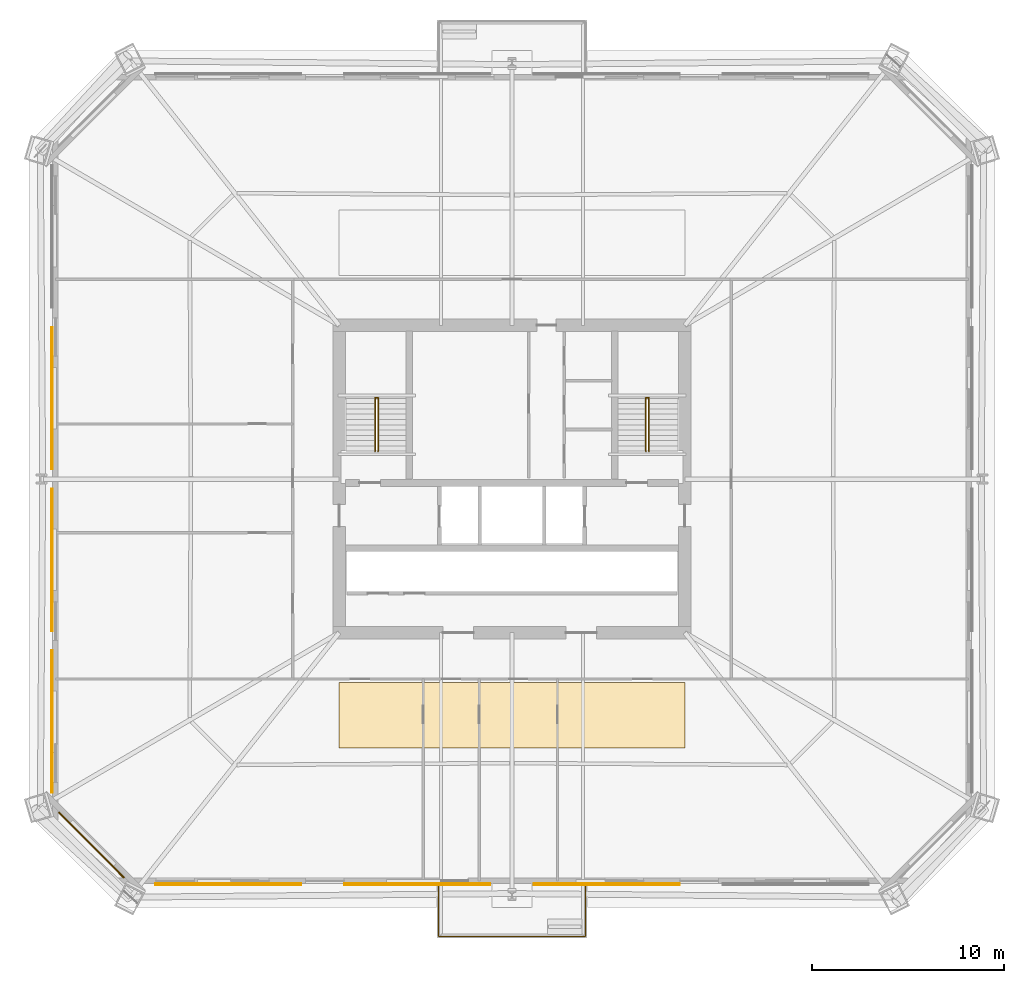
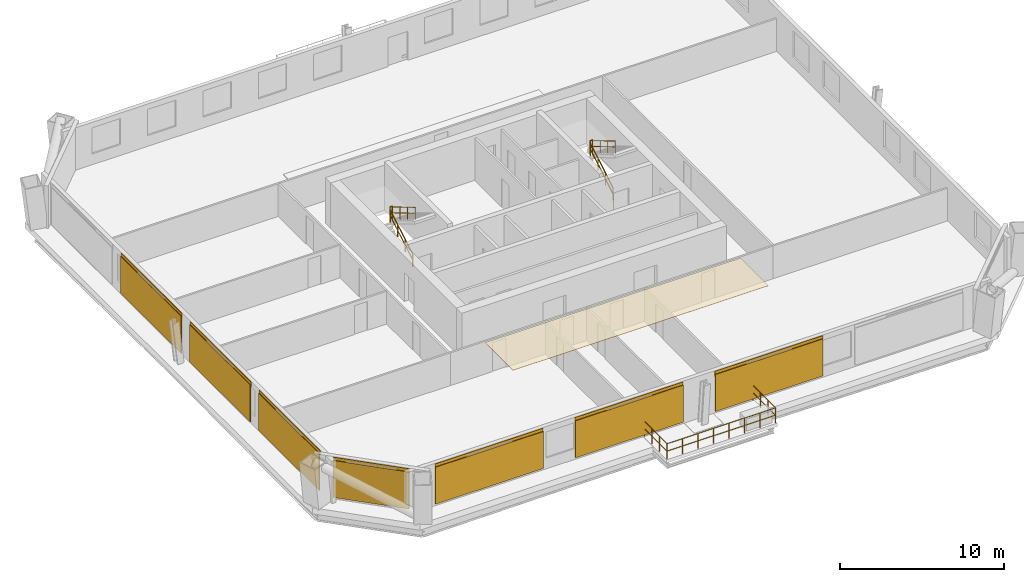
# One storey, part 7 of 8: 8 coverings, 7 railings, 7 shading devices.
"""IFC4 building model written with IfcOpenShell, lengths in metres."""

from ifc_helpers import new_model, si_unit, direction, frame, origin, origin_2d, place, context, subcontext, project, spatial, polyline, rectangle, circle, outline, extrude, material, layer, layer_set, type_object, element, save


model = new_model("IFC4")

# Units and contexts
model_context = context("Model", 3, precision=1e-05, world=origin(), true_north=direction((0.0, 1.0)))
body_context = subcontext(model_context, "Body", "Model", "MODEL_VIEW")
ifc_project = project(units=[si_unit("LENGTHUNIT", "METRE"), si_unit("AREAUNIT", "SQUARE_METRE"), si_unit("VOLUMEUNIT", "CUBIC_METRE"), si_unit("PLANEANGLEUNIT", "RADIAN"), si_unit("MASSUNIT", "GRAM", prefix="KILO")], contexts=[model_context])

# Site, building, storey
site_placement = place(None, origin())
site = spatial("IfcSite", under=ifc_project, at=site_placement, CompositionType="ELEMENT")
building_placement = place(site_placement, origin())
building = spatial("IfcBuilding", under=site, at=building_placement, Name="Caelvoria Tower", CompositionType="ELEMENT")
storey_placement = place(building_placement, frame((0.0, 0.0, 46.0)))
storey = spatial("IfcBuildingStorey", under=building, at=storey_placement, Name="L11", CompositionType="ELEMENT", Elevation=46.0)

# Railing
ifc_material_1 = material(Name="Bronze Anodised Aluminium and Stainless Steel", Category="steel")
railing_type_1 = type_object("IfcRailingType", Name="Exterior Terrace and Balcony Guardrail 1150", PredefinedType="GUARDRAIL", material=ifc_material_1)
railing_1_placement = place(storey_placement, frame((42.179931640625, 10.93994140625, 0.0)))
element("IfcRailing", 1, at=railing_1_placement, inside=storey, type_object=railing_type_1, Name="Tree Balcony Guardrail TB-L11-S", PredefinedType="GUARDRAIL", context=body_context, shape_type="SweptSolid", body=[
    extrude(circle(Radius=0.02392578125, at=origin_2d()), frame((0.0, 0.0, 1.1259765625), z_axis=(0.0, -1.0, 0.0), x_axis=(1.0, 0.0, 0.0)), (0.0, 0.0, 1.0), 2.760009765625),
    extrude(circle(Radius=0.02392578125, at=origin_2d()), frame((0.0, 0.0, 0.574951171875), z_axis=(0.0, -1.0, 0.0), x_axis=(1.0, 0.0, 0.0)), (0.0, 0.0, 1.0), 2.760009765625),
    extrude(circle(Radius=0.02392578125, at=origin_2d()), frame((0.0, -2.760009765625, 1.1259765625), z_axis=(1.0, 0.0, 0.0), x_axis=(0.0, 1.0, 0.0)), (0.0, 0.0, 1.0), 7.64013671875),
    extrude(circle(Radius=0.02392578125, at=origin_2d()), frame((0.0, -2.760009765625, 0.574951171875), z_axis=(1.0, 0.0, 0.0), x_axis=(0.0, 1.0, 0.0)), (0.0, 0.0, 1.0), 7.64013671875),
    extrude(circle(Radius=0.02392578125, at=origin_2d()), frame((7.64013671875, -2.760009765625, 1.1259765625), z_axis=(0.0, 1.0, 0.0), x_axis=(-1.0, 0.0, 0.0)), (0.0, 0.0, 1.0), 2.760009765625),
    extrude(circle(Radius=0.02392578125, at=origin_2d()), frame((7.64013671875, -2.760009765625, 0.574951171875), z_axis=(0.0, 1.0, 0.0), x_axis=(-1.0, 0.0, 0.0)), (0.0, 0.0, 1.0), 2.760009765625),
    extrude(circle(Radius=0.02099609375, at=origin_2d()), origin(), (0.0, 0.0, 1.0), 1.101806640625),
    extrude(circle(Radius=0.02099609375, at=origin_2d()), frame((0.0, -0.919921875, 0.0)), (0.0, 0.0, 1.0), 1.101806640625),
    extrude(circle(Radius=0.02099609375, at=origin_2d()), frame((0.0, -1.840087890625, 0.0)), (0.0, 0.0, 1.0), 1.101806640625),
    extrude(circle(Radius=0.02099609375, at=origin_2d()), frame((0.0, -2.760009765625, 0.0)), (0.0, 0.0, 1.0), 1.101806640625),
    extrude(circle(Radius=0.02099609375, at=origin_2d()), frame((1.091552734375, -2.760009765625, 0.0)), (0.0, 0.0, 1.0), 1.101806640625),
    extrude(circle(Radius=0.02099609375, at=origin_2d()), frame((2.182861328125, -2.760009765625, 0.0)), (0.0, 0.0, 1.0), 1.101806640625),
    extrude(circle(Radius=0.02099609375, at=origin_2d()), frame((3.2744140625, -2.760009765625, 0.0)), (0.0, 0.0, 1.0), 1.101806640625),
    extrude(circle(Radius=0.02099609375, at=origin_2d()), frame((4.36572265625, -2.760009765625, 0.0)), (0.0, 0.0, 1.0), 1.101806640625),
    extrude(circle(Radius=0.02099609375, at=origin_2d()), frame((5.457275390625, -2.760009765625, 0.0)), (0.0, 0.0, 1.0), 1.101806640625),
    extrude(circle(Radius=0.02099609375, at=origin_2d()), frame((6.548583984375, -2.760009765625, 0.0)), (0.0, 0.0, 1.0), 1.101806640625),
    extrude(circle(Radius=0.02099609375, at=origin_2d()), frame((7.64013671875, -2.760009765625, 0.0)), (0.0, 0.0, 1.0), 1.101806640625),
    extrude(circle(Radius=0.02099609375, at=origin_2d()), frame((7.64013671875, -1.840087890625, 0.0)), (0.0, 0.0, 1.0), 1.101806640625),
    extrude(circle(Radius=0.02099609375, at=origin_2d()), frame((7.64013671875, -0.919921875, 0.0)), (0.0, 0.0, 1.0), 1.101806640625),
    extrude(circle(Radius=0.02099609375, at=origin_2d()), frame((7.64013671875, 0.0, 0.0)), (0.0, 0.0, 1.0), 1.101806640625),
])

# Coverings
ifc_material_2 = material(Name="Acoustic Mineral Fibre Tile", Category="gypsum")
ifc_layer_1 = layer(ifc_material_2, 0.02490234375, Name="Acoustic Mineral Fibre Tile")
ifc_layer_set_1 = layer_set([ifc_layer_1], Name="Mineral-Fibre Acoustic Suspended Ceiling 25 - Acoustic Mineral Fibre Tile")
covering_type_1 = type_object("IfcCoveringType", Name="Mineral-Fibre Acoustic Suspended Ceiling 25", PredefinedType="CEILING", material=ifc_layer_set_1)
covering_1_placement = place(storey_placement, frame((0.0, 0.0, 2.425048828125)))
element("IfcCovering", 2, at=covering_1_placement, inside=storey, type_object=covering_type_1, Name="Suspended Acoustic Ceiling L11", PredefinedType="CEILING", context=body_context, shape_type="SweptSolid", body=[
    extrude(outline(polyline([(37.0, 18.0), (55.0, 18.0), (55.0, 21.39990234375), (37.0, 21.39990234375), (37.0, 18.0)])), origin(), (0.0, 0.0, 1.0), 0.02490234375),
])
ifc_material_3 = material(Name="Perforated Architectural Bronze Cladding Screen", Category="bronze")
ifc_layer_2 = layer(ifc_material_3, 0.0400390625, Name="Perforated Architectural Bronze Cladding Screen")
ifc_layer_set_2 = layer_set([ifc_layer_2], Name="Perforated Bronze Louvre Cladding Band 40 - Perforated Architectural Bronze Cladding Screen")
covering_type_2 = type_object("IfcCoveringType", Name="Perforated Bronze Louvre Cladding Band 40", PredefinedType="CLADDING", material=ifc_layer_set_2)
for number, where, z_axis, x_axis, name in (
    (3, (31.232421875, 10.927978515625, 2.72998046875), (0.0, 0.0, 1.0), (1.0, 0.0, 0.0), "Perforated Bronze Screen Band L11-E0-00"),
    (4, (41.077392578125, 10.927978515625, 2.72998046875), (0.0, 0.0, 1.0), (1.0, 0.0, 0.0), "Perforated Bronze Screen Band L11-E0-01"),
    (5, (50.922607421875, 10.927978515625, 2.72998046875), (0.0, 0.0, 1.0), (1.0, 0.0, 0.0), "Perforated Bronze Screen Band L11-E0-02"),
):
    element("IfcCovering", number, at=place(storey_placement, frame(where, z_axis=z_axis, x_axis=x_axis)), inside=storey, type_object=covering_type_2, Name=name, PredefinedType="CLADDING", context=body_context, shape_type="SweptSolid", body=[
        extrude(rectangle(XDim=7.60009765625, YDim=0.0400390625, at=origin_2d()), origin(), (0.0, 0.0, 1.0), 0.39990234375),
    ])
for number, where, z_axis, x_axis, name in (
    (6, (22.077880859375, 36.2099609375, 2.72998046875), (0.0, 0.0, 1.0), (0.0, -1.0, 0.0), "Perforated Bronze Screen Band L11-E6-01"),
    (7, (22.077880859375, 27.7900390625, 2.72998046875), (0.0, 0.0, 1.0), (0.0, -1.0, 0.0), "Perforated Bronze Screen Band L11-E6-02"),
    (8, (22.077880859375, 19.3701171875, 2.72998046875), (0.0, 0.0, 1.0), (0.0, -1.0, 0.0), "Perforated Bronze Screen Band L11-E6-03"),
):
    element("IfcCovering", number, at=place(storey_placement, frame(where, z_axis=z_axis, x_axis=x_axis)), inside=storey, type_object=covering_type_2, Name=name, PredefinedType="CLADDING", context=body_context, shape_type="SweptSolid", body=[
        extrude(rectangle(XDim=7.40966796875, YDim=0.0400390625, at=origin_2d()), origin(), (0.0, 0.0, 1.0), 0.39990234375),
    ])
covering_2_placement = place(storey_placement, frame((24.118408203125, 12.96826171875, 2.72998046875), z_axis=(0.0, 0.0, 1.0), x_axis=(0.707106781187, -0.707106781187, 0.0)))
element("IfcCovering", 9, at=covering_2_placement, inside=storey, type_object=covering_type_2, Name="Perforated Bronze Screen Band L11-E7-00", PredefinedType="CLADDING", context=body_context, shape_type="SweptSolid", body=[
    extrude(rectangle(XDim=4.81201171875, YDim=0.0400390625, at=origin_2d()), origin(), (0.0, 0.0, 1.0), 0.39990234375),
])

# Shading devices
ifc_material_4 = material(Name="Perforated Architectural Bronze Alloy Panel", Category="bronze")
ifc_layer_3 = layer(ifc_material_4, 0.044921875, Name="Perforated Architectural Bronze Alloy Panel")
ifc_layer_set_3 = layer_set([ifc_layer_3], Name="Perforated Bronze Solar Screen Panel SCREEN - Perforated Architectural Bronze Alloy Panel")
shading_device_type = type_object("IfcShadingDeviceType", Name="Perforated Bronze Solar Screen Panel SCREEN", PredefinedType="USERDEFINED", material=ifc_layer_set_3)
for number, where, z_axis, x_axis, name in (
    (10, (31.232421875, 10.885009765625, 0.159912109375), (0.0, 0.0, 1.0), (1.0, 0.0, 0.0), "Perforated Bronze Solar Screen L11-E0-00"),
    (11, (41.077392578125, 10.885009765625, 0.159912109375), (0.0, 0.0, 1.0), (1.0, 0.0, 0.0), "Perforated Bronze Solar Screen L11-E0-01"),
    (12, (50.922607421875, 10.885009765625, 0.159912109375), (0.0, 0.0, 1.0), (1.0, 0.0, 0.0), "Perforated Bronze Solar Screen L11-E0-02"),
):
    element("IfcShadingDevice", number, at=place(storey_placement, frame(where, z_axis=z_axis, x_axis=x_axis)), inside=storey, type_object=shading_device_type, Name=name, ObjectType="SCREEN", PredefinedType="USERDEFINED", context=body_context, shape_type="SweptSolid", body=[
        extrude(rectangle(XDim=7.60009765625, YDim=0.044921875, at=origin_2d()), origin(), (0.0, 0.0, 1.0), 2.75),
    ])
for number, where, z_axis, x_axis, name in (
    (13, (22.034912109375, 36.2099609375, 0.159912109375), (0.0, 0.0, 1.0), (0.0, -1.0, 0.0), "Perforated Bronze Solar Screen L11-E6-01"),
    (14, (22.034912109375, 27.7900390625, 0.159912109375), (0.0, 0.0, 1.0), (0.0, -1.0, 0.0), "Perforated Bronze Solar Screen L11-E6-02"),
    (15, (22.034912109375, 19.3701171875, 0.159912109375), (0.0, 0.0, 1.0), (0.0, -1.0, 0.0), "Perforated Bronze Solar Screen L11-E6-03"),
):
    element("IfcShadingDevice", number, at=place(storey_placement, frame(where, z_axis=z_axis, x_axis=x_axis)), inside=storey, type_object=shading_device_type, Name=name, ObjectType="SCREEN", PredefinedType="USERDEFINED", context=body_context, shape_type="SweptSolid", body=[
        extrude(rectangle(XDim=7.40966796875, YDim=0.044921875, at=origin_2d()), origin(), (0.0, 0.0, 1.0), 2.75),
    ])
shading_device_placement = place(storey_placement, frame((24.087890625, 12.93798828125, 0.159912109375), z_axis=(0.0, 0.0, 1.0), x_axis=(0.707106781187, -0.707106781187, 0.0)))
element("IfcShadingDevice", 16, at=shading_device_placement, inside=storey, type_object=shading_device_type, Name="Perforated Bronze Solar Screen L11-E7-00", ObjectType="SCREEN", PredefinedType="USERDEFINED", context=body_context, shape_type="SweptSolid", body=[
    extrude(rectangle(XDim=4.81201171875, YDim=0.044921875, at=origin_2d()), origin(), (0.0, 0.0, 1.0), 2.75),
])

# Railings
ifc_material_5 = material(Name="Brushed Stainless Steel Tube", Category="steel")
railing_type_2 = type_object("IfcRailingType", Name="Stair Tubular Stainless Handrail 920", PredefinedType="HANDRAIL", material=ifc_material_5)
railing_2_placement = place(storey_placement, frame((38.8701171875, 33.449951171875, 0.16357421875)))
element("IfcRailing", 17, at=railing_2_placement, inside=storey, type_object=railing_type_2, Name="ST-01 Flight 1 Handrail L11", PredefinedType="HANDRAIL", context=body_context, shape_type="SweptSolid", body=[
    extrude(circle(Radius=0.02392578125, at=origin_2d()), frame((0.0, 0.0, 0.89599609375), z_axis=(0.0, 0.859351957796, 0.511384603436), x_axis=(-1.0, 0.0, 0.0)), (0.0, 0.0, 1.0), 3.2001953125),
    extrude(circle(Radius=0.02392578125, at=origin_2d()), frame((0.0, 0.0, 0.4599609375), z_axis=(0.0, 0.859351957796, 0.511384603436), x_axis=(-1.0, 0.0, 0.0)), (0.0, 0.0, 1.0), 3.2001953125),
    extrude(circle(Radius=0.02099609375, at=origin_2d()), origin(), (0.0, 0.0, 1.0), 0.871826171875),
    extrude(circle(Radius=0.02099609375, at=origin_2d()), frame((0.0, 0.916748046875, 0.54541015625)), (0.0, 0.0, 1.0), 0.871826171875),
    extrude(circle(Radius=0.02099609375, at=origin_2d()), frame((0.0, 1.833251953125, 1.091064453125)), (0.0, 0.0, 1.0), 0.871826171875),
    extrude(circle(Radius=0.02099609375, at=origin_2d()), frame((0.0, 2.75, 1.636474609375)), (0.0, 0.0, 1.0), 0.871826171875),
])
railing_3_placement = place(storey_placement, frame((39.030029296875, 36.199951171875, 1.963623046875)))
element("IfcRailing", 18, at=railing_3_placement, inside=storey, type_object=railing_type_2, Name="ST-01 Flight 2 Handrail L11", PredefinedType="HANDRAIL", context=body_context, shape_type="SweptSolid", body=[
    extrude(circle(Radius=0.02392578125, at=origin_2d()), frame((0.0, 0.0, 0.89599609375), z_axis=(0.0, -0.859351957796, 0.511384603436), x_axis=(1.0, 0.0, 0.0)), (0.0, 0.0, 1.0), 3.2001953125),
    extrude(circle(Radius=0.02392578125, at=origin_2d()), frame((0.0, 0.0, 0.4599609375), z_axis=(0.0, -0.859351957796, 0.511384603436), x_axis=(1.0, 0.0, 0.0)), (0.0, 0.0, 1.0), 3.2001953125),
    extrude(circle(Radius=0.02099609375, at=origin_2d()), origin(), (0.0, 0.0, 1.0), 0.871826171875),
    extrude(circle(Radius=0.02099609375, at=origin_2d()), frame((0.0, -0.916748046875, 0.54541015625)), (0.0, 0.0, 1.0), 0.871826171875),
    extrude(circle(Radius=0.02099609375, at=origin_2d()), frame((0.0, -1.833251953125, 1.091064453125)), (0.0, 0.0, 1.0), 0.871826171875),
    extrude(circle(Radius=0.02099609375, at=origin_2d()), frame((0.0, -2.75, 1.636474609375)), (0.0, 0.0, 1.0), 0.871826171875),
])
railing_4_placement = place(storey_placement, frame((52.969970703125, 33.449951171875, 0.16357421875)))
element("IfcRailing", 19, at=railing_4_placement, inside=storey, type_object=railing_type_2, Name="ST-02 Flight 1 Handrail L11", PredefinedType="HANDRAIL", context=body_context, shape_type="SweptSolid", body=[
    extrude(circle(Radius=0.02392578125, at=origin_2d()), frame((0.0, 0.0, 0.89599609375), z_axis=(0.0, 0.859351957796, 0.511384603436), x_axis=(-1.0, 0.0, 0.0)), (0.0, 0.0, 1.0), 3.2001953125),
    extrude(circle(Radius=0.02392578125, at=origin_2d()), frame((0.0, 0.0, 0.4599609375), z_axis=(0.0, 0.859351957796, 0.511384603436), x_axis=(-1.0, 0.0, 0.0)), (0.0, 0.0, 1.0), 3.2001953125),
    extrude(circle(Radius=0.02099609375, at=origin_2d()), origin(), (0.0, 0.0, 1.0), 0.871826171875),
    extrude(circle(Radius=0.02099609375, at=origin_2d()), frame((0.0, 0.916748046875, 0.54541015625)), (0.0, 0.0, 1.0), 0.871826171875),
    extrude(circle(Radius=0.02099609375, at=origin_2d()), frame((0.0, 1.833251953125, 1.091064453125)), (0.0, 0.0, 1.0), 0.871826171875),
    extrude(circle(Radius=0.02099609375, at=origin_2d()), frame((0.0, 2.75, 1.636474609375)), (0.0, 0.0, 1.0), 0.871826171875),
])
railing_5_placement = place(storey_placement, frame((53.1298828125, 36.199951171875, 1.963623046875)))
element("IfcRailing", 20, at=railing_5_placement, inside=storey, type_object=railing_type_2, Name="ST-02 Flight 2 Handrail L11", PredefinedType="HANDRAIL", context=body_context, shape_type="SweptSolid", body=[
    extrude(circle(Radius=0.02392578125, at=origin_2d()), frame((0.0, 0.0, 0.89599609375), z_axis=(0.0, -0.859351957796, 0.511384603436), x_axis=(1.0, 0.0, 0.0)), (0.0, 0.0, 1.0), 3.2001953125),
    extrude(circle(Radius=0.02392578125, at=origin_2d()), frame((0.0, 0.0, 0.4599609375), z_axis=(0.0, -0.859351957796, 0.511384603436), x_axis=(1.0, 0.0, 0.0)), (0.0, 0.0, 1.0), 3.2001953125),
    extrude(circle(Radius=0.02099609375, at=origin_2d()), origin(), (0.0, 0.0, 1.0), 0.871826171875),
    extrude(circle(Radius=0.02099609375, at=origin_2d()), frame((0.0, -0.916748046875, 0.54541015625)), (0.0, 0.0, 1.0), 0.871826171875),
    extrude(circle(Radius=0.02099609375, at=origin_2d()), frame((0.0, -1.833251953125, 1.091064453125)), (0.0, 0.0, 1.0), 0.871826171875),
    extrude(circle(Radius=0.02099609375, at=origin_2d()), frame((0.0, -2.75, 1.636474609375)), (0.0, 0.0, 1.0), 0.871826171875),
])
ifc_material_6 = material(Name="Brushed Stainless Steel Guardrail", Category="steel")
railing_type_3 = type_object("IfcRailingType", Name="Stair Well and Ramp Guardrail 1120", PredefinedType="GUARDRAIL", material=ifc_material_6)
for number, where, name in (
    (21, (38.8701171875, 36.239990234375, 1.800048828125), "ST-01 Half-Landing Well Guard L11"),
    (22, (52.969970703125, 36.239990234375, 1.800048828125), "ST-02 Half-Landing Well Guard L11"),
):
    element("IfcRailing", number, at=place(storey_placement, frame(where)), inside=storey, type_object=railing_type_3, Name=name, PredefinedType="GUARDRAIL", context=body_context, shape_type="SweptSolid", body=[
        extrude(circle(Radius=0.02392578125, at=origin_2d()), frame((0.0, 0.0, 1.09619140625), z_axis=(1.0, 0.0, 0.0), x_axis=(0.0, 1.0, 0.0)), (0.0, 0.0, 1.0), 0.159912109375),
        extrude(circle(Radius=0.02392578125, at=origin_2d()), frame((0.0, 0.0, 0.56005859375), z_axis=(1.0, 0.0, 0.0), x_axis=(0.0, 1.0, 0.0)), (0.0, 0.0, 1.0), 0.159912109375),
        extrude(circle(Radius=0.02099609375, at=origin_2d()), origin(), (0.0, 0.0, 1.0), 1.072021484375),
        extrude(circle(Radius=0.02099609375, at=origin_2d()), frame((0.159912109375, 0.0, 0.0)), (0.0, 0.0, 1.0), 1.072021484375),
    ])

save(model, "model.ifc")
